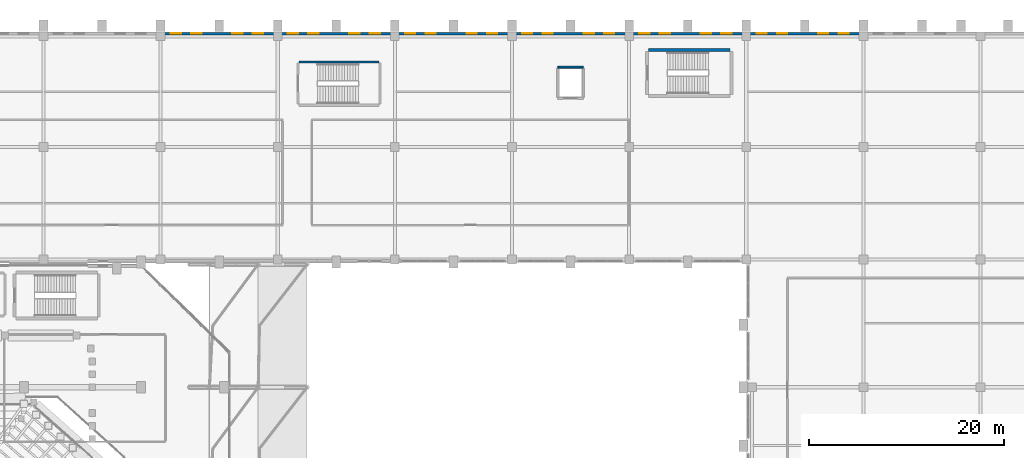
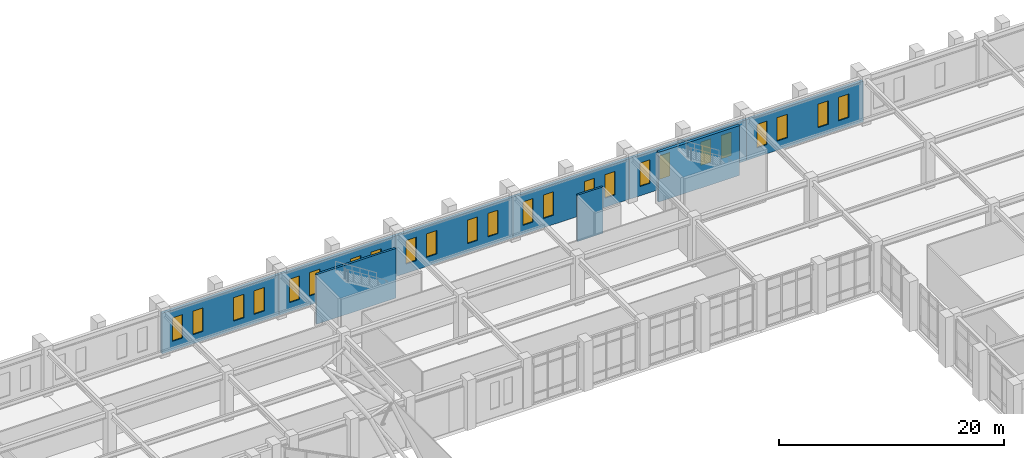
# One storey, part 138 of 159: 24 windows, 9 walls, 24 openings.
"""IFC4 building model written with IfcOpenShell, lengths in metres."""

import ifcopenshell
import ifcopenshell.guid

model = None  # the IFC model being written
_history = None  # IfcOwnerHistory: only IFC2X3 demands one
_inside = {}  # id of a spatial element -> (the spatial element, [elements in it])
_under = {}  # id of a project, library or spatial element -> (it, [spatial elements below it])
_declared = {}  # id of a project -> (the project, [libraries it declares])
_typed = {}  # id of a type object -> (the type object, [elements of that type])
_made_of = {}  # id of a material, layer set ... -> (it, [elements and type objects made of it])


def new_model(schema):
    """Start an empty IFC model of exactly this schema.

    Asked for "IFC4X3", IfcOpenShell would pick the latest addendum, in which some entities
    have other attributes; the version numbers below select the first issue.
    IFC2X3 requires an IfcOwnerHistory on every rooted entity: one is made here for all.
    """
    global model, _history
    if schema == "IFC4X3":
        model = ifcopenshell.file(schema_version=(4, 3, 0, 0))
    else:
        model = ifcopenshell.file(schema=schema)
    _inside.clear()
    _under.clear()
    _declared.clear()
    _typed.clear()
    _made_of.clear()
    _history = None
    if model.schema == "IFC2X3":
        org = make("IfcOrganization", Name="unknown")
        user = make(
            "IfcPersonAndOrganization",
            ThePerson=make("IfcPerson", FamilyName="unknown"),
            TheOrganization=org,
        )
        app = make(
            "IfcApplication",
            ApplicationDeveloper=org,
            Version="unknown",
            ApplicationFullName="unknown",
            ApplicationIdentifier="unknown",
        )
        _history = make(
            "IfcOwnerHistory",
            OwningUser=user,
            OwningApplication=app,
            ChangeAction="ADDED",
            CreationDate=0,
        )
    return model


def make(cls, **values):
    """One entity of the class cls with the attributes given. An attribute that is None is left unset."""
    return model.create_entity(
        cls, **{name: value for name, value in values.items() if value is not None}
    )


def rooted(cls, **values):
    """An entity with a GlobalId (a new one), such as an element, a storey or a relation."""
    return make(cls, GlobalId=ifcopenshell.guid.new(), OwnerHistory=_history, **values)


def si_unit(unit_type, name, prefix=None):
    """IfcSIUnit, for example si_unit("LENGTHUNIT", "METRE", prefix="MILLI")."""
    return make("IfcSIUnit", UnitType=unit_type, Prefix=prefix, Name=name)


def derived_unit(unit_type, elements):
    """IfcDerivedUnit: a product of units, each with its exponent."""
    return make(
        "IfcDerivedUnit",
        Elements=[
            make("IfcDerivedUnitElement", Unit=unit, Exponent=power)
            for unit, power in elements
        ],
        UnitType=unit_type,
    )


def assignment(units):
    """IfcUnitAssignment: the units of a project."""
    return None if units is None else make("IfcUnitAssignment", Units=units)


def point(xyz):
    """IfcCartesianPoint."""
    return None if xyz is None else make("IfcCartesianPoint", Coordinates=xyz)


def direction(xyz):
    """IfcDirection."""
    return None if xyz is None else make("IfcDirection", DirectionRatios=xyz)


def frame(location, z_axis=None, x_axis=None):
    """IfcAxis2Placement3D, a coordinate frame: its origin and axes. An axis left out is left unset."""
    return make(
        "IfcAxis2Placement3D",
        Location=point(location),
        Axis=direction(z_axis),
        RefDirection=direction(x_axis),
    )


def frame_2d(location, x_axis=None):
    """IfcAxis2Placement2D, a coordinate frame in the plane: its origin and x axis."""
    return make(
        "IfcAxis2Placement2D", Location=point(location), RefDirection=direction(x_axis)
    )


def origin():
    """The frame at (0, 0, 0) with its axes left unset."""
    return frame((0.0, 0.0, 0.0))


def place(relative_to, where):
    """IfcLocalPlacement: puts the frame where relative to a parent placement (None: the world)."""
    return make(
        "IfcLocalPlacement", PlacementRelTo=relative_to, RelativePlacement=where
    )


def context(
    kind, dimensions, precision=None, world=None, true_north=None, identifier=None
):
    """IfcGeometricRepresentationContext, for example the 3D "Model" context."""
    return make(
        "IfcGeometricRepresentationContext",
        ContextIdentifier=identifier,
        ContextType=kind,
        CoordinateSpaceDimension=dimensions,
        Precision=precision,
        WorldCoordinateSystem=world,
        TrueNorth=true_north,
    )


def subcontext(parent, identifier, kind, view, scale=None):
    """IfcGeometricRepresentationSubContext, for example "Body" below "Model"."""
    return make(
        "IfcGeometricRepresentationSubContext",
        ContextIdentifier=identifier,
        ContextType=kind,
        ParentContext=parent,
        TargetScale=scale,
        TargetView=view,
    )


def project(units=None, contexts=None):
    """IfcProject with its units and contexts."""
    return rooted(
        "IfcProject",
        Name="project",
        RepresentationContexts=contexts,
        UnitsInContext=assignment(units),
    )


def spatial(cls, under=None, at=None, **own):
    """A site, building, storey or space (cls), placed at a placement, below another one or the project."""
    s = rooted(cls, ObjectPlacement=at, **own)
    if under is not None:
        _under.setdefault(under.id(), (under, []))[1].append(s)
    return s


def profile(cls, at=None, kind="AREA", **sizes):
    """A parametric profile (cls). Its sizes go by their IFC names, for example OverallWidth=200.0."""
    return make(cls, ProfileType=kind, Position=at, **sizes)


def rectangle(**sizes):
    """IfcRectangleProfileDef."""
    return profile("IfcRectangleProfileDef", **sizes)


def extrude(swept, where, along, depth):
    """IfcExtrudedAreaSolid: the profile swept, set in the frame where, extruded along a direction by depth."""
    return make(
        "IfcExtrudedAreaSolid",
        SweptArea=swept,
        Position=where,
        ExtrudedDirection=direction(along),
        Depth=depth,
    )


def shape(context_of_items, identifier, shape_type, items):
    """IfcShapeRepresentation: the items that make up one representation, for example the "Body"."""
    return make(
        "IfcShapeRepresentation",
        ContextOfItems=context_of_items,
        RepresentationIdentifier=identifier,
        RepresentationType=shape_type,
        Items=items,
    )


def material(Name=None, Category=None):
    """IfcMaterial."""
    return make("IfcMaterial", Name=Name, Category=Category)


def layer(
    of_material, thickness, ventilated=None, Name=None, Category=None, Priority=None
):
    """IfcMaterialLayer: one layer of a wall or slab, of a material (None: an air gap)."""
    return make(
        "IfcMaterialLayer",
        Material=of_material,
        LayerThickness=thickness,
        IsVentilated=ventilated,
        Name=Name,
        Category=Category,
        Priority=Priority,
    )


def layer_set(layers, Name=None):
    """IfcMaterialLayerSet."""
    return make("IfcMaterialLayerSet", MaterialLayers=layers, LayerSetName=Name)


def made_of(thing, what):
    """Note that an element or type object is made of a material, layer set ...; save() writes the relation."""
    if what is not None:
        _made_of.setdefault(what.id(), (what, []))[1].append(thing)
    return thing


def type_object(cls, material=None, **own):
    """A type object (cls), such as IfcWallType, which elements share."""
    return made_of(rooted(cls, **own), material)


def element(
    cls,
    number,
    at=None,
    inside=None,
    cuts=None,
    type_object=None,
    material=None,
    context=None,
    identifier="Body",
    shape_type=None,
    held_by="IfcProductDefinitionShape",
    body=None,
    shapes=None,
    **own,
):
    """One element of the class cls, such as IfcWall. Its Tag is "e" and its number.

    at: its placement. inside: the storey or other place that contains it. cuts: it is an
    opening in that element (IfcRelVoidsElement). A single representation is given by context,
    identifier, shape_type and body (its items); several are given by shapes. held_by: the class
    of the entity that holds the representations. save() writes the other relations.
    """
    e = rooted(cls, Tag="e%d" % number, ObjectPlacement=at, **own)
    if body is not None:
        shapes = [shape(context, identifier, shape_type, body)]
    if shapes is not None:
        e.Representation = make(held_by, Representations=shapes)
    if inside is not None:
        _inside.setdefault(inside.id(), (inside, []))[1].append(e)
    if cuts is not None:
        rooted(
            "IfcRelVoidsElement", RelatingBuildingElement=cuts, RelatedOpeningElement=e
        )
    if type_object is not None:
        _typed.setdefault(type_object.id(), (type_object, []))[1].append(e)
    return made_of(e, material)


def fill(opening, filler):
    """IfcRelFillsElement: the door or window that sits in an opening."""
    return rooted(
        "IfcRelFillsElement",
        RelatingOpeningElement=opening,
        RelatedBuildingElement=filler,
    )


def aggregate(whole, parts):
    """IfcRelAggregates: a whole, such as a stair, and the parts it consists of."""
    return rooted("IfcRelAggregates", RelatingObject=whole, RelatedObjects=parts)


def save(model, path):
    """Write the relations noted so far, then the file.

    IfcRelAggregates (storeys below a building ...), IfcRelContainedInSpatialStructure (elements
    in a storey), IfcRelDefinesByType, IfcRelAssociatesMaterial and IfcRelDeclares: one each for
    every whole, place, type object, material and project.
    """
    for whole, parts in _under.values():
        aggregate(whole, parts)
    for where, things in _inside.values():
        rooted(
            "IfcRelContainedInSpatialStructure",
            RelatedElements=things,
            RelatingStructure=where,
        )
    for kind, things in _typed.values():
        rooted("IfcRelDefinesByType", RelatedObjects=things, RelatingType=kind)
    for what, things in _made_of.values():
        rooted("IfcRelAssociatesMaterial", RelatedObjects=things, RelatingMaterial=what)
    for by, libraries in _declared.values():
        rooted("IfcRelDeclares", RelatingContext=by, RelatedDefinitions=libraries)
    model.write(path)


model = new_model("IFC4")

# Units and contexts
model_context = context("Model", 3, precision=1e-05, world=origin(), true_north=direction((0.0, 1.0)))
body_context = subcontext(model_context, "Body", "Model", "MODEL_VIEW")
ifc_project = project(units=[si_unit("LENGTHUNIT", "METRE"), si_unit("AREAUNIT", "SQUARE_METRE"), si_unit("VOLUMEUNIT", "CUBIC_METRE"), si_unit("PLANEANGLEUNIT", "RADIAN"), si_unit("MASSUNIT", "GRAM", prefix="KILO"), derived_unit("THERMALTRANSMITTANCEUNIT", [(si_unit("MASSUNIT", "GRAM", prefix="KILO"), 1), (si_unit("TIMEUNIT", "SECOND"), -3), (si_unit("THERMODYNAMICTEMPERATUREUNIT", "KELVIN"), -1)])], contexts=[model_context])

# Site, building, storey
site_placement = place(None, origin())
site = spatial("IfcSite", under=ifc_project, at=site_placement, CompositionType="ELEMENT")
building_placement = place(site_placement, origin())
building = spatial("IfcBuilding", under=site, at=building_placement, Name="Valcora Ridge Arena", CompositionType="ELEMENT")
storey_placement = place(building_placement, frame((0.0, 0.0, 6.0)))
storey = spatial("IfcBuildingStorey", under=building, at=storey_placement, Name="L01", CompositionType="ELEMENT", Elevation=6.0)

# Wall, openings, windows
ifc_material_1 = material(Name="Bush-hammered Andean travertine on concrete backup C40/50", Category="masonry")
ifc_layer_1 = layer(ifc_material_1, 0.280029296875, Name="Bush-hammered Andean travertine on concrete backup C40/50")
ifc_layer_set_1 = layer_set([ifc_layer_1], Name="Bush-hammered Andean travertine on concrete backup C40/50")
wall_type_1 = type_object("IfcWallType", Name="TY-WALL-EW-TRV-28-44", PredefinedType="STANDARD", material=ifc_layer_set_1)
wall_1_placement = place(storey_placement, frame((96.0, 131.820068359375, 0.0), z_axis=(0.0, 0.0, 1.0), x_axis=(1.0, 0.0, 0.0)))
wall_1 = element("IfcWall", 1, at=wall_1_placement, inside=storey, type_object=wall_type_1, Name="EW-TRV-28-44 WAL-EW-0142", PredefinedType="STANDARD", context=body_context, shape_type="SweptSolid", body=[
    extrude(rectangle(XDim=12.0, YDim=0.280029296875, at=frame_2d((6.0, 0.0))), origin(), (0.0, 0.0, 1.0), 4.427978515625),
])
opening_1_placement = place(wall_1_placement, frame((1.050048828125, 0.0, 1.0)))
opening_1 = element("IfcOpeningElement", 2, at=opening_1_placement, cuts=wall_1, Name="Opening W-LAN-105X255", PredefinedType="OPENING", context=body_context, shape_type="SweptSolid", body=[
    extrude(rectangle(XDim=1.050048828125, YDim=2.550048828125, at=frame_2d((0.52490234375, 1.27490234375))), frame((0.0, 0.14990234375, 0.0), z_axis=(0.0, -1.0, 0.0), x_axis=(1.0, 0.0, 0.0)), (0.0, 0.0, 1.0), 0.300048828125),
])
opening_2_placement = place(wall_1_placement, frame((3.14990234375, 0.0, 1.0)))
opening_2 = element("IfcOpeningElement", 3, at=opening_2_placement, cuts=wall_1, Name="Opening W-LAN-105X255", PredefinedType="OPENING", context=body_context, shape_type="SweptSolid", body=[
    extrude(rectangle(XDim=1.050048828125, YDim=2.550048828125, at=frame_2d((0.52490234375, 1.27490234375))), frame((0.0, 0.14990234375, 0.0), z_axis=(0.0, -1.0, 0.0), x_axis=(1.0, 0.0, 0.0)), (0.0, 0.0, 1.0), 0.300048828125),
])
opening_3_placement = place(wall_1_placement, frame((7.35009765625, 0.0, 1.0)))
opening_3 = element("IfcOpeningElement", 4, at=opening_3_placement, cuts=wall_1, Name="Opening W-LAN-105X255", PredefinedType="OPENING", context=body_context, shape_type="SweptSolid", body=[
    extrude(rectangle(XDim=1.050048828125, YDim=2.550048828125, at=frame_2d((0.52490234375, 1.27490234375))), frame((0.0, 0.14990234375, 0.0), z_axis=(0.0, -1.0, 0.0), x_axis=(1.0, 0.0, 0.0)), (0.0, 0.0, 1.0), 0.300048828125),
])
opening_4_placement = place(wall_1_placement, frame((9.449951171875, 0.0, 1.0)))
opening_4 = element("IfcOpeningElement", 5, at=opening_4_placement, cuts=wall_1, Name="Opening W-LAN-105X255", PredefinedType="OPENING", context=body_context, shape_type="SweptSolid", body=[
    extrude(rectangle(XDim=1.050048828125, YDim=2.550048828125, at=frame_2d((0.52490234375, 1.27490234375))), frame((0.0, 0.14990234375, 0.0), z_axis=(0.0, -1.0, 0.0), x_axis=(1.0, 0.0, 0.0)), (0.0, 0.0, 1.0), 0.300048828125),
])
ifc_material_2 = material(Name="Low-iron solar-control double glazing SHGC 0.28", Category="glass")
window_type = type_object("IfcWindowType", Name="TY-WINDOW-W-LAN-105X255", PartitioningType="DOUBLE_PANEL_VERTICAL", PredefinedType="WINDOW", material=ifc_material_2)
window_1_placement = place(opening_1_placement, origin())
window_1 = element("IfcWindow", 6, at=window_1_placement, inside=storey, type_object=window_type, Name="W-LAN-105X255 WIN-EX-0427", OverallHeight=2.550048828125, OverallWidth=1.050048828125, PartitioningType="DOUBLE_PANEL_VERTICAL", PredefinedType="WINDOW", context=body_context, shape_type="SweptSolid", body=[
    extrude(rectangle(XDim=1.050048828125, YDim=2.550048828125, at=frame_2d((0.52490234375, 1.27490234375))), frame((0.0, 0.030029296875, 0.0), z_axis=(0.0, -1.0, 0.0), x_axis=(1.0, 0.0, 0.0)), (0.0, 0.0, 1.0), 0.06005859375),
])
fill(opening_1, window_1)
window_2_placement = place(opening_2_placement, origin())
window_2 = element("IfcWindow", 7, at=window_2_placement, inside=storey, type_object=window_type, Name="W-LAN-105X255 WIN-EX-0428", OverallHeight=2.550048828125, OverallWidth=1.050048828125, PartitioningType="DOUBLE_PANEL_VERTICAL", PredefinedType="WINDOW", context=body_context, shape_type="SweptSolid", body=[
    extrude(rectangle(XDim=1.050048828125, YDim=2.550048828125, at=frame_2d((0.52490234375, 1.27490234375))), frame((0.0, 0.030029296875, 0.0), z_axis=(0.0, -1.0, 0.0), x_axis=(1.0, 0.0, 0.0)), (0.0, 0.0, 1.0), 0.06005859375),
])
fill(opening_2, window_2)
window_3_placement = place(opening_3_placement, origin())
window_3 = element("IfcWindow", 8, at=window_3_placement, inside=storey, type_object=window_type, Name="W-LAN-105X255 WIN-EX-0429", OverallHeight=2.550048828125, OverallWidth=1.050048828125, PartitioningType="DOUBLE_PANEL_VERTICAL", PredefinedType="WINDOW", context=body_context, shape_type="SweptSolid", body=[
    extrude(rectangle(XDim=1.050048828125, YDim=2.550048828125, at=frame_2d((0.52490234375, 1.27490234375))), frame((0.0, 0.030029296875, 0.0), z_axis=(0.0, -1.0, 0.0), x_axis=(1.0, 0.0, 0.0)), (0.0, 0.0, 1.0), 0.06005859375),
])
fill(opening_3, window_3)
window_4_placement = place(opening_4_placement, origin())
window_4 = element("IfcWindow", 9, at=window_4_placement, inside=storey, type_object=window_type, Name="W-LAN-105X255 WIN-EX-0430", OverallHeight=2.550048828125, OverallWidth=1.050048828125, PartitioningType="DOUBLE_PANEL_VERTICAL", PredefinedType="WINDOW", context=body_context, shape_type="SweptSolid", body=[
    extrude(rectangle(XDim=1.050048828125, YDim=2.550048828125, at=frame_2d((0.52490234375, 1.27490234375))), frame((0.0, 0.030029296875, 0.0), z_axis=(0.0, -1.0, 0.0), x_axis=(1.0, 0.0, 0.0)), (0.0, 0.0, 1.0), 0.06005859375),
])
fill(opening_4, window_4)

wall_2_placement = place(storey_placement, frame((108.0, 131.820068359375, 0.0), z_axis=(0.0, 0.0, 1.0), x_axis=(1.0, 0.0, 0.0)))
wall_2 = element("IfcWall", 10, at=wall_2_placement, inside=storey, type_object=wall_type_1, Name="EW-TRV-28-44 WAL-EW-0143", PredefinedType="STANDARD", context=body_context, shape_type="SweptSolid", body=[
    extrude(rectangle(XDim=12.0, YDim=0.280029296875, at=frame_2d((6.0, 0.0))), origin(), (0.0, 0.0, 1.0), 4.427978515625),
])
opening_5_placement = place(wall_2_placement, frame((1.050048828125, 0.0, 1.0)))
opening_5 = element("IfcOpeningElement", 11, at=opening_5_placement, cuts=wall_2, Name="Opening W-LAN-105X255", PredefinedType="OPENING", context=body_context, shape_type="SweptSolid", body=[
    extrude(rectangle(XDim=1.050048828125, YDim=2.550048828125, at=frame_2d((0.52490234375, 1.27490234375))), frame((0.0, 0.14990234375, 0.0), z_axis=(0.0, -1.0, 0.0), x_axis=(1.0, 0.0, 0.0)), (0.0, 0.0, 1.0), 0.300048828125),
])
opening_6_placement = place(wall_2_placement, frame((3.14990234375, 0.0, 1.0)))
opening_6 = element("IfcOpeningElement", 12, at=opening_6_placement, cuts=wall_2, Name="Opening W-LAN-105X255", PredefinedType="OPENING", context=body_context, shape_type="SweptSolid", body=[
    extrude(rectangle(XDim=1.050048828125, YDim=2.550048828125, at=frame_2d((0.52490234375, 1.27490234375))), frame((0.0, 0.14990234375, 0.0), z_axis=(0.0, -1.0, 0.0), x_axis=(1.0, 0.0, 0.0)), (0.0, 0.0, 1.0), 0.300048828125),
])
opening_7_placement = place(wall_2_placement, frame((7.35009765625, 0.0, 1.0)))
opening_7 = element("IfcOpeningElement", 13, at=opening_7_placement, cuts=wall_2, Name="Opening W-LAN-105X255", PredefinedType="OPENING", context=body_context, shape_type="SweptSolid", body=[
    extrude(rectangle(XDim=1.050048828125, YDim=2.550048828125, at=frame_2d((0.52490234375, 1.27490234375))), frame((0.0, 0.14990234375, 0.0), z_axis=(0.0, -1.0, 0.0), x_axis=(1.0, 0.0, 0.0)), (0.0, 0.0, 1.0), 0.300048828125),
])
opening_8_placement = place(wall_2_placement, frame((9.449951171875, 0.0, 1.0)))
opening_8 = element("IfcOpeningElement", 14, at=opening_8_placement, cuts=wall_2, Name="Opening W-LAN-105X255", PredefinedType="OPENING", context=body_context, shape_type="SweptSolid", body=[
    extrude(rectangle(XDim=1.050048828125, YDim=2.550048828125, at=frame_2d((0.52490234375, 1.27490234375))), frame((0.0, 0.14990234375, 0.0), z_axis=(0.0, -1.0, 0.0), x_axis=(1.0, 0.0, 0.0)), (0.0, 0.0, 1.0), 0.300048828125),
])
window_5_placement = place(opening_5_placement, origin())
window_5 = element("IfcWindow", 15, at=window_5_placement, inside=storey, type_object=window_type, Name="W-LAN-105X255 WIN-EX-0431", OverallHeight=2.550048828125, OverallWidth=1.050048828125, PartitioningType="DOUBLE_PANEL_VERTICAL", PredefinedType="WINDOW", context=body_context, shape_type="SweptSolid", body=[
    extrude(rectangle(XDim=1.050048828125, YDim=2.550048828125, at=frame_2d((0.52490234375, 1.27490234375))), frame((0.0, 0.030029296875, 0.0), z_axis=(0.0, -1.0, 0.0), x_axis=(1.0, 0.0, 0.0)), (0.0, 0.0, 1.0), 0.06005859375),
])
fill(opening_5, window_5)
window_6_placement = place(opening_6_placement, origin())
window_6 = element("IfcWindow", 16, at=window_6_placement, inside=storey, type_object=window_type, Name="W-LAN-105X255 WIN-EX-0432", OverallHeight=2.550048828125, OverallWidth=1.050048828125, PartitioningType="DOUBLE_PANEL_VERTICAL", PredefinedType="WINDOW", context=body_context, shape_type="SweptSolid", body=[
    extrude(rectangle(XDim=1.050048828125, YDim=2.550048828125, at=frame_2d((0.52490234375, 1.27490234375))), frame((0.0, 0.030029296875, 0.0), z_axis=(0.0, -1.0, 0.0), x_axis=(1.0, 0.0, 0.0)), (0.0, 0.0, 1.0), 0.06005859375),
])
fill(opening_6, window_6)
window_7_placement = place(opening_7_placement, origin())
window_7 = element("IfcWindow", 17, at=window_7_placement, inside=storey, type_object=window_type, Name="W-LAN-105X255 WIN-EX-0433", OverallHeight=2.550048828125, OverallWidth=1.050048828125, PartitioningType="DOUBLE_PANEL_VERTICAL", PredefinedType="WINDOW", context=body_context, shape_type="SweptSolid", body=[
    extrude(rectangle(XDim=1.050048828125, YDim=2.550048828125, at=frame_2d((0.52490234375, 1.27490234375))), frame((0.0, 0.030029296875, 0.0), z_axis=(0.0, -1.0, 0.0), x_axis=(1.0, 0.0, 0.0)), (0.0, 0.0, 1.0), 0.06005859375),
])
fill(opening_7, window_7)
window_8_placement = place(opening_8_placement, origin())
window_8 = element("IfcWindow", 18, at=window_8_placement, inside=storey, type_object=window_type, Name="W-LAN-105X255 WIN-EX-0434", OverallHeight=2.550048828125, OverallWidth=1.050048828125, PartitioningType="DOUBLE_PANEL_VERTICAL", PredefinedType="WINDOW", context=body_context, shape_type="SweptSolid", body=[
    extrude(rectangle(XDim=1.050048828125, YDim=2.550048828125, at=frame_2d((0.52490234375, 1.27490234375))), frame((0.0, 0.030029296875, 0.0), z_axis=(0.0, -1.0, 0.0), x_axis=(1.0, 0.0, 0.0)), (0.0, 0.0, 1.0), 0.06005859375),
])
fill(opening_8, window_8)

wall_3_placement = place(storey_placement, frame((120.0, 131.820068359375, 0.0), z_axis=(0.0, 0.0, 1.0), x_axis=(1.0, 0.0, 0.0)))
wall_3 = element("IfcWall", 19, at=wall_3_placement, inside=storey, type_object=wall_type_1, Name="EW-TRV-28-44 WAL-EW-0144", PredefinedType="STANDARD", context=body_context, shape_type="SweptSolid", body=[
    extrude(rectangle(XDim=12.0, YDim=0.280029296875, at=frame_2d((6.0, 0.0))), origin(), (0.0, 0.0, 1.0), 4.427978515625),
])
opening_9_placement = place(wall_3_placement, frame((1.050048828125, 0.0, 1.0)))
opening_9 = element("IfcOpeningElement", 20, at=opening_9_placement, cuts=wall_3, Name="Opening W-LAN-105X255", PredefinedType="OPENING", context=body_context, shape_type="SweptSolid", body=[
    extrude(rectangle(XDim=1.050048828125, YDim=2.550048828125, at=frame_2d((0.52490234375, 1.27490234375))), frame((0.0, 0.14990234375, 0.0), z_axis=(0.0, -1.0, 0.0), x_axis=(1.0, 0.0, 0.0)), (0.0, 0.0, 1.0), 0.300048828125),
])
opening_10_placement = place(wall_3_placement, frame((3.14990234375, 0.0, 1.0)))
opening_10 = element("IfcOpeningElement", 21, at=opening_10_placement, cuts=wall_3, Name="Opening W-LAN-105X255", PredefinedType="OPENING", context=body_context, shape_type="SweptSolid", body=[
    extrude(rectangle(XDim=1.050048828125, YDim=2.550048828125, at=frame_2d((0.52490234375, 1.27490234375))), frame((0.0, 0.14990234375, 0.0), z_axis=(0.0, -1.0, 0.0), x_axis=(1.0, 0.0, 0.0)), (0.0, 0.0, 1.0), 0.300048828125),
])
opening_11_placement = place(wall_3_placement, frame((7.35009765625, 0.0, 1.0)))
opening_11 = element("IfcOpeningElement", 22, at=opening_11_placement, cuts=wall_3, Name="Opening W-LAN-105X255", PredefinedType="OPENING", context=body_context, shape_type="SweptSolid", body=[
    extrude(rectangle(XDim=1.050048828125, YDim=2.550048828125, at=frame_2d((0.52490234375, 1.27490234375))), frame((0.0, 0.14990234375, 0.0), z_axis=(0.0, -1.0, 0.0), x_axis=(1.0, 0.0, 0.0)), (0.0, 0.0, 1.0), 0.300048828125),
])
opening_12_placement = place(wall_3_placement, frame((9.449951171875, 0.0, 1.0)))
opening_12 = element("IfcOpeningElement", 23, at=opening_12_placement, cuts=wall_3, Name="Opening W-LAN-105X255", PredefinedType="OPENING", context=body_context, shape_type="SweptSolid", body=[
    extrude(rectangle(XDim=1.050048828125, YDim=2.550048828125, at=frame_2d((0.52490234375, 1.27490234375))), frame((0.0, 0.14990234375, 0.0), z_axis=(0.0, -1.0, 0.0), x_axis=(1.0, 0.0, 0.0)), (0.0, 0.0, 1.0), 0.300048828125),
])
window_9_placement = place(opening_9_placement, origin())
window_9 = element("IfcWindow", 24, at=window_9_placement, inside=storey, type_object=window_type, Name="W-LAN-105X255 WIN-EX-0435", OverallHeight=2.550048828125, OverallWidth=1.050048828125, PartitioningType="DOUBLE_PANEL_VERTICAL", PredefinedType="WINDOW", context=body_context, shape_type="SweptSolid", body=[
    extrude(rectangle(XDim=1.050048828125, YDim=2.550048828125, at=frame_2d((0.52490234375, 1.27490234375))), frame((0.0, 0.030029296875, 0.0), z_axis=(0.0, -1.0, 0.0), x_axis=(1.0, 0.0, 0.0)), (0.0, 0.0, 1.0), 0.06005859375),
])
fill(opening_9, window_9)
window_10_placement = place(opening_10_placement, origin())
window_10 = element("IfcWindow", 25, at=window_10_placement, inside=storey, type_object=window_type, Name="W-LAN-105X255 WIN-EX-0436", OverallHeight=2.550048828125, OverallWidth=1.050048828125, PartitioningType="DOUBLE_PANEL_VERTICAL", PredefinedType="WINDOW", context=body_context, shape_type="SweptSolid", body=[
    extrude(rectangle(XDim=1.050048828125, YDim=2.550048828125, at=frame_2d((0.52490234375, 1.27490234375))), frame((0.0, 0.030029296875, 0.0), z_axis=(0.0, -1.0, 0.0), x_axis=(1.0, 0.0, 0.0)), (0.0, 0.0, 1.0), 0.06005859375),
])
fill(opening_10, window_10)
window_11_placement = place(opening_11_placement, origin())
window_11 = element("IfcWindow", 26, at=window_11_placement, inside=storey, type_object=window_type, Name="W-LAN-105X255 WIN-EX-0437", OverallHeight=2.550048828125, OverallWidth=1.050048828125, PartitioningType="DOUBLE_PANEL_VERTICAL", PredefinedType="WINDOW", context=body_context, shape_type="SweptSolid", body=[
    extrude(rectangle(XDim=1.050048828125, YDim=2.550048828125, at=frame_2d((0.52490234375, 1.27490234375))), frame((0.0, 0.030029296875, 0.0), z_axis=(0.0, -1.0, 0.0), x_axis=(1.0, 0.0, 0.0)), (0.0, 0.0, 1.0), 0.06005859375),
])
fill(opening_11, window_11)
window_12_placement = place(opening_12_placement, origin())
window_12 = element("IfcWindow", 27, at=window_12_placement, inside=storey, type_object=window_type, Name="W-LAN-105X255 WIN-EX-0438", OverallHeight=2.550048828125, OverallWidth=1.050048828125, PartitioningType="DOUBLE_PANEL_VERTICAL", PredefinedType="WINDOW", context=body_context, shape_type="SweptSolid", body=[
    extrude(rectangle(XDim=1.050048828125, YDim=2.550048828125, at=frame_2d((0.52490234375, 1.27490234375))), frame((0.0, 0.030029296875, 0.0), z_axis=(0.0, -1.0, 0.0), x_axis=(1.0, 0.0, 0.0)), (0.0, 0.0, 1.0), 0.06005859375),
])
fill(opening_12, window_12)

wall_4_placement = place(storey_placement, frame((132.0, 131.820068359375, 0.0), z_axis=(0.0, 0.0, 1.0), x_axis=(1.0, 0.0, 0.0)))
wall_4 = element("IfcWall", 28, at=wall_4_placement, inside=storey, type_object=wall_type_1, Name="EW-TRV-28-44 WAL-EW-0145", PredefinedType="STANDARD", context=body_context, shape_type="SweptSolid", body=[
    extrude(rectangle(XDim=12.0, YDim=0.280029296875, at=frame_2d((6.0, 0.0))), origin(), (0.0, 0.0, 1.0), 4.427978515625),
])
opening_13_placement = place(wall_4_placement, frame((1.050048828125, 0.0, 1.0)))
opening_13 = element("IfcOpeningElement", 29, at=opening_13_placement, cuts=wall_4, Name="Opening W-LAN-105X255", PredefinedType="OPENING", context=body_context, shape_type="SweptSolid", body=[
    extrude(rectangle(XDim=1.050048828125, YDim=2.550048828125, at=frame_2d((0.52490234375, 1.27490234375))), frame((0.0, 0.14990234375, 0.0), z_axis=(0.0, -1.0, 0.0), x_axis=(1.0, 0.0, 0.0)), (0.0, 0.0, 1.0), 0.300048828125),
])
opening_14_placement = place(wall_4_placement, frame((3.14990234375, 0.0, 1.0)))
opening_14 = element("IfcOpeningElement", 30, at=opening_14_placement, cuts=wall_4, Name="Opening W-LAN-105X255", PredefinedType="OPENING", context=body_context, shape_type="SweptSolid", body=[
    extrude(rectangle(XDim=1.050048828125, YDim=2.550048828125, at=frame_2d((0.52490234375, 1.27490234375))), frame((0.0, 0.14990234375, 0.0), z_axis=(0.0, -1.0, 0.0), x_axis=(1.0, 0.0, 0.0)), (0.0, 0.0, 1.0), 0.300048828125),
])
opening_15_placement = place(wall_4_placement, frame((7.35009765625, 0.0, 1.0)))
opening_15 = element("IfcOpeningElement", 31, at=opening_15_placement, cuts=wall_4, Name="Opening W-LAN-105X255", PredefinedType="OPENING", context=body_context, shape_type="SweptSolid", body=[
    extrude(rectangle(XDim=1.050048828125, YDim=2.550048828125, at=frame_2d((0.52490234375, 1.27490234375))), frame((0.0, 0.14990234375, 0.0), z_axis=(0.0, -1.0, 0.0), x_axis=(1.0, 0.0, 0.0)), (0.0, 0.0, 1.0), 0.300048828125),
])
opening_16_placement = place(wall_4_placement, frame((9.449951171875, 0.0, 1.0)))
opening_16 = element("IfcOpeningElement", 32, at=opening_16_placement, cuts=wall_4, Name="Opening W-LAN-105X255", PredefinedType="OPENING", context=body_context, shape_type="SweptSolid", body=[
    extrude(rectangle(XDim=1.050048828125, YDim=2.550048828125, at=frame_2d((0.52490234375, 1.27490234375))), frame((0.0, 0.14990234375, 0.0), z_axis=(0.0, -1.0, 0.0), x_axis=(1.0, 0.0, 0.0)), (0.0, 0.0, 1.0), 0.300048828125),
])
window_13_placement = place(opening_13_placement, origin())
window_13 = element("IfcWindow", 33, at=window_13_placement, inside=storey, type_object=window_type, Name="W-LAN-105X255 WIN-EX-0439", OverallHeight=2.550048828125, OverallWidth=1.050048828125, PartitioningType="DOUBLE_PANEL_VERTICAL", PredefinedType="WINDOW", context=body_context, shape_type="SweptSolid", body=[
    extrude(rectangle(XDim=1.050048828125, YDim=2.550048828125, at=frame_2d((0.52490234375, 1.27490234375))), frame((0.0, 0.030029296875, 0.0), z_axis=(0.0, -1.0, 0.0), x_axis=(1.0, 0.0, 0.0)), (0.0, 0.0, 1.0), 0.06005859375),
])
fill(opening_13, window_13)
window_14_placement = place(opening_14_placement, origin())
window_14 = element("IfcWindow", 34, at=window_14_placement, inside=storey, type_object=window_type, Name="W-LAN-105X255 WIN-EX-0440", OverallHeight=2.550048828125, OverallWidth=1.050048828125, PartitioningType="DOUBLE_PANEL_VERTICAL", PredefinedType="WINDOW", context=body_context, shape_type="SweptSolid", body=[
    extrude(rectangle(XDim=1.050048828125, YDim=2.550048828125, at=frame_2d((0.52490234375, 1.27490234375))), frame((0.0, 0.030029296875, 0.0), z_axis=(0.0, -1.0, 0.0), x_axis=(1.0, 0.0, 0.0)), (0.0, 0.0, 1.0), 0.06005859375),
])
fill(opening_14, window_14)
window_15_placement = place(opening_15_placement, origin())
window_15 = element("IfcWindow", 35, at=window_15_placement, inside=storey, type_object=window_type, Name="W-LAN-105X255 WIN-EX-0441", OverallHeight=2.550048828125, OverallWidth=1.050048828125, PartitioningType="DOUBLE_PANEL_VERTICAL", PredefinedType="WINDOW", context=body_context, shape_type="SweptSolid", body=[
    extrude(rectangle(XDim=1.050048828125, YDim=2.550048828125, at=frame_2d((0.52490234375, 1.27490234375))), frame((0.0, 0.030029296875, 0.0), z_axis=(0.0, -1.0, 0.0), x_axis=(1.0, 0.0, 0.0)), (0.0, 0.0, 1.0), 0.06005859375),
])
fill(opening_15, window_15)
window_16_placement = place(opening_16_placement, origin())
window_16 = element("IfcWindow", 36, at=window_16_placement, inside=storey, type_object=window_type, Name="W-LAN-105X255 WIN-EX-0442", OverallHeight=2.550048828125, OverallWidth=1.050048828125, PartitioningType="DOUBLE_PANEL_VERTICAL", PredefinedType="WINDOW", context=body_context, shape_type="SweptSolid", body=[
    extrude(rectangle(XDim=1.050048828125, YDim=2.550048828125, at=frame_2d((0.52490234375, 1.27490234375))), frame((0.0, 0.030029296875, 0.0), z_axis=(0.0, -1.0, 0.0), x_axis=(1.0, 0.0, 0.0)), (0.0, 0.0, 1.0), 0.06005859375),
])
fill(opening_16, window_16)

wall_5_placement = place(storey_placement, frame((144.0, 131.820068359375, 0.0), z_axis=(0.0, 0.0, 1.0), x_axis=(1.0, 0.0, 0.0)))
wall_5 = element("IfcWall", 37, at=wall_5_placement, inside=storey, type_object=wall_type_1, Name="EW-TRV-28-44 WAL-EW-0146", PredefinedType="STANDARD", context=body_context, shape_type="SweptSolid", body=[
    extrude(rectangle(XDim=12.0, YDim=0.280029296875, at=frame_2d((6.0, 0.0))), origin(), (0.0, 0.0, 1.0), 4.427978515625),
])
opening_17_placement = place(wall_5_placement, frame((1.050048828125, 0.0, 1.0)))
opening_17 = element("IfcOpeningElement", 38, at=opening_17_placement, cuts=wall_5, Name="Opening W-LAN-105X255", PredefinedType="OPENING", context=body_context, shape_type="SweptSolid", body=[
    extrude(rectangle(XDim=1.050048828125, YDim=2.550048828125, at=frame_2d((0.52490234375, 1.27490234375))), frame((0.0, 0.14990234375, 0.0), z_axis=(0.0, -1.0, 0.0), x_axis=(1.0, 0.0, 0.0)), (0.0, 0.0, 1.0), 0.300048828125),
])
opening_18_placement = place(wall_5_placement, frame((3.14990234375, 0.0, 1.0)))
opening_18 = element("IfcOpeningElement", 39, at=opening_18_placement, cuts=wall_5, Name="Opening W-LAN-105X255", PredefinedType="OPENING", context=body_context, shape_type="SweptSolid", body=[
    extrude(rectangle(XDim=1.050048828125, YDim=2.550048828125, at=frame_2d((0.52490234375, 1.27490234375))), frame((0.0, 0.14990234375, 0.0), z_axis=(0.0, -1.0, 0.0), x_axis=(1.0, 0.0, 0.0)), (0.0, 0.0, 1.0), 0.300048828125),
])
opening_19_placement = place(wall_5_placement, frame((7.35009765625, 0.0, 1.0)))
opening_19 = element("IfcOpeningElement", 40, at=opening_19_placement, cuts=wall_5, Name="Opening W-LAN-105X255", PredefinedType="OPENING", context=body_context, shape_type="SweptSolid", body=[
    extrude(rectangle(XDim=1.050048828125, YDim=2.550048828125, at=frame_2d((0.52490234375, 1.27490234375))), frame((0.0, 0.14990234375, 0.0), z_axis=(0.0, -1.0, 0.0), x_axis=(1.0, 0.0, 0.0)), (0.0, 0.0, 1.0), 0.300048828125),
])
opening_20_placement = place(wall_5_placement, frame((9.449951171875, 0.0, 1.0)))
opening_20 = element("IfcOpeningElement", 41, at=opening_20_placement, cuts=wall_5, Name="Opening W-LAN-105X255", PredefinedType="OPENING", context=body_context, shape_type="SweptSolid", body=[
    extrude(rectangle(XDim=1.050048828125, YDim=2.550048828125, at=frame_2d((0.52490234375, 1.27490234375))), frame((0.0, 0.14990234375, 0.0), z_axis=(0.0, -1.0, 0.0), x_axis=(1.0, 0.0, 0.0)), (0.0, 0.0, 1.0), 0.300048828125),
])
window_17_placement = place(opening_17_placement, origin())
window_17 = element("IfcWindow", 42, at=window_17_placement, inside=storey, type_object=window_type, Name="W-LAN-105X255 WIN-EX-0443", OverallHeight=2.550048828125, OverallWidth=1.050048828125, PartitioningType="DOUBLE_PANEL_VERTICAL", PredefinedType="WINDOW", context=body_context, shape_type="SweptSolid", body=[
    extrude(rectangle(XDim=1.050048828125, YDim=2.550048828125, at=frame_2d((0.52490234375, 1.27490234375))), frame((0.0, 0.030029296875, 0.0), z_axis=(0.0, -1.0, 0.0), x_axis=(1.0, 0.0, 0.0)), (0.0, 0.0, 1.0), 0.06005859375),
])
fill(opening_17, window_17)
window_18_placement = place(opening_18_placement, origin())
window_18 = element("IfcWindow", 43, at=window_18_placement, inside=storey, type_object=window_type, Name="W-LAN-105X255 WIN-EX-0444", OverallHeight=2.550048828125, OverallWidth=1.050048828125, PartitioningType="DOUBLE_PANEL_VERTICAL", PredefinedType="WINDOW", context=body_context, shape_type="SweptSolid", body=[
    extrude(rectangle(XDim=1.050048828125, YDim=2.550048828125, at=frame_2d((0.52490234375, 1.27490234375))), frame((0.0, 0.030029296875, 0.0), z_axis=(0.0, -1.0, 0.0), x_axis=(1.0, 0.0, 0.0)), (0.0, 0.0, 1.0), 0.06005859375),
])
fill(opening_18, window_18)
window_19_placement = place(opening_19_placement, origin())
window_19 = element("IfcWindow", 44, at=window_19_placement, inside=storey, type_object=window_type, Name="W-LAN-105X255 WIN-EX-0445", OverallHeight=2.550048828125, OverallWidth=1.050048828125, PartitioningType="DOUBLE_PANEL_VERTICAL", PredefinedType="WINDOW", context=body_context, shape_type="SweptSolid", body=[
    extrude(rectangle(XDim=1.050048828125, YDim=2.550048828125, at=frame_2d((0.52490234375, 1.27490234375))), frame((0.0, 0.030029296875, 0.0), z_axis=(0.0, -1.0, 0.0), x_axis=(1.0, 0.0, 0.0)), (0.0, 0.0, 1.0), 0.06005859375),
])
fill(opening_19, window_19)
window_20_placement = place(opening_20_placement, origin())
window_20 = element("IfcWindow", 45, at=window_20_placement, inside=storey, type_object=window_type, Name="W-LAN-105X255 WIN-EX-0446", OverallHeight=2.550048828125, OverallWidth=1.050048828125, PartitioningType="DOUBLE_PANEL_VERTICAL", PredefinedType="WINDOW", context=body_context, shape_type="SweptSolid", body=[
    extrude(rectangle(XDim=1.050048828125, YDim=2.550048828125, at=frame_2d((0.52490234375, 1.27490234375))), frame((0.0, 0.030029296875, 0.0), z_axis=(0.0, -1.0, 0.0), x_axis=(1.0, 0.0, 0.0)), (0.0, 0.0, 1.0), 0.06005859375),
])
fill(opening_20, window_20)

wall_6_placement = place(storey_placement, frame((156.0, 131.820068359375, 0.0), z_axis=(0.0, 0.0, 1.0), x_axis=(1.0, 0.0, 0.0)))
wall_6 = element("IfcWall", 46, at=wall_6_placement, inside=storey, type_object=wall_type_1, Name="EW-TRV-28-44 WAL-EW-0147", PredefinedType="STANDARD", context=body_context, shape_type="SweptSolid", body=[
    extrude(rectangle(XDim=12.0, YDim=0.280029296875, at=frame_2d((6.0, 0.0))), origin(), (0.0, 0.0, 1.0), 4.427978515625),
])
opening_21_placement = place(wall_6_placement, frame((1.050048828125, 0.0, 1.0)))
opening_21 = element("IfcOpeningElement", 47, at=opening_21_placement, cuts=wall_6, Name="Opening W-LAN-105X255", PredefinedType="OPENING", context=body_context, shape_type="SweptSolid", body=[
    extrude(rectangle(XDim=1.050048828125, YDim=2.550048828125, at=frame_2d((0.52490234375, 1.27490234375))), frame((0.0, 0.14990234375, 0.0), z_axis=(0.0, -1.0, 0.0), x_axis=(1.0, 0.0, 0.0)), (0.0, 0.0, 1.0), 0.300048828125),
])
opening_22_placement = place(wall_6_placement, frame((3.14990234375, 0.0, 1.0)))
opening_22 = element("IfcOpeningElement", 48, at=opening_22_placement, cuts=wall_6, Name="Opening W-LAN-105X255", PredefinedType="OPENING", context=body_context, shape_type="SweptSolid", body=[
    extrude(rectangle(XDim=1.050048828125, YDim=2.550048828125, at=frame_2d((0.52490234375, 1.27490234375))), frame((0.0, 0.14990234375, 0.0), z_axis=(0.0, -1.0, 0.0), x_axis=(1.0, 0.0, 0.0)), (0.0, 0.0, 1.0), 0.300048828125),
])
opening_23_placement = place(wall_6_placement, frame((7.35009765625, 0.0, 1.0)))
opening_23 = element("IfcOpeningElement", 49, at=opening_23_placement, cuts=wall_6, Name="Opening W-LAN-105X255", PredefinedType="OPENING", context=body_context, shape_type="SweptSolid", body=[
    extrude(rectangle(XDim=1.050048828125, YDim=2.550048828125, at=frame_2d((0.52490234375, 1.27490234375))), frame((0.0, 0.14990234375, 0.0), z_axis=(0.0, -1.0, 0.0), x_axis=(1.0, 0.0, 0.0)), (0.0, 0.0, 1.0), 0.300048828125),
])
opening_24_placement = place(wall_6_placement, frame((9.449951171875, 0.0, 1.0)))
opening_24 = element("IfcOpeningElement", 50, at=opening_24_placement, cuts=wall_6, Name="Opening W-LAN-105X255", PredefinedType="OPENING", context=body_context, shape_type="SweptSolid", body=[
    extrude(rectangle(XDim=1.050048828125, YDim=2.550048828125, at=frame_2d((0.52490234375, 1.27490234375))), frame((0.0, 0.14990234375, 0.0), z_axis=(0.0, -1.0, 0.0), x_axis=(1.0, 0.0, 0.0)), (0.0, 0.0, 1.0), 0.300048828125),
])
window_21_placement = place(opening_21_placement, origin())
window_21 = element("IfcWindow", 51, at=window_21_placement, inside=storey, type_object=window_type, Name="W-LAN-105X255 WIN-EX-0447", OverallHeight=2.550048828125, OverallWidth=1.050048828125, PartitioningType="DOUBLE_PANEL_VERTICAL", PredefinedType="WINDOW", context=body_context, shape_type="SweptSolid", body=[
    extrude(rectangle(XDim=1.050048828125, YDim=2.550048828125, at=frame_2d((0.52490234375, 1.27490234375))), frame((0.0, 0.030029296875, 0.0), z_axis=(0.0, -1.0, 0.0), x_axis=(1.0, 0.0, 0.0)), (0.0, 0.0, 1.0), 0.06005859375),
])
fill(opening_21, window_21)
window_22_placement = place(opening_22_placement, origin())
window_22 = element("IfcWindow", 52, at=window_22_placement, inside=storey, type_object=window_type, Name="W-LAN-105X255 WIN-EX-0448", OverallHeight=2.550048828125, OverallWidth=1.050048828125, PartitioningType="DOUBLE_PANEL_VERTICAL", PredefinedType="WINDOW", context=body_context, shape_type="SweptSolid", body=[
    extrude(rectangle(XDim=1.050048828125, YDim=2.550048828125, at=frame_2d((0.52490234375, 1.27490234375))), frame((0.0, 0.030029296875, 0.0), z_axis=(0.0, -1.0, 0.0), x_axis=(1.0, 0.0, 0.0)), (0.0, 0.0, 1.0), 0.06005859375),
])
fill(opening_22, window_22)
window_23_placement = place(opening_23_placement, origin())
window_23 = element("IfcWindow", 53, at=window_23_placement, inside=storey, type_object=window_type, Name="W-LAN-105X255 WIN-EX-0449", OverallHeight=2.550048828125, OverallWidth=1.050048828125, PartitioningType="DOUBLE_PANEL_VERTICAL", PredefinedType="WINDOW", context=body_context, shape_type="SweptSolid", body=[
    extrude(rectangle(XDim=1.050048828125, YDim=2.550048828125, at=frame_2d((0.52490234375, 1.27490234375))), frame((0.0, 0.030029296875, 0.0), z_axis=(0.0, -1.0, 0.0), x_axis=(1.0, 0.0, 0.0)), (0.0, 0.0, 1.0), 0.06005859375),
])
fill(opening_23, window_23)
window_24_placement = place(opening_24_placement, origin())
window_24 = element("IfcWindow", 54, at=window_24_placement, inside=storey, type_object=window_type, Name="W-LAN-105X255 WIN-EX-0450", OverallHeight=2.550048828125, OverallWidth=1.050048828125, PartitioningType="DOUBLE_PANEL_VERTICAL", PredefinedType="WINDOW", context=body_context, shape_type="SweptSolid", body=[
    extrude(rectangle(XDim=1.050048828125, YDim=2.550048828125, at=frame_2d((0.52490234375, 1.27490234375))), frame((0.0, 0.030029296875, 0.0), z_axis=(0.0, -1.0, 0.0), x_axis=(1.0, 0.0, 0.0)), (0.0, 0.0, 1.0), 0.06005859375),
])
fill(opening_24, window_24)

# Walls
ifc_material_3 = material(Name="Concrete C40/50", Category="concrete")
ifc_layer_2 = layer(ifc_material_3, 0.199951171875, Name="Concrete C40/50")
ifc_layer_set_2 = layer_set([ifc_layer_2], Name="Concrete C40/50")
wall_type_2 = type_object("IfcWallType", Name="TY-WALL-IW-SHF-200", PredefinedType="STANDARD", material=ifc_layer_set_2)
wall_7_placement = place(storey_placement, frame((136.699951171875, 128.39990234375, 0.0), z_axis=(0.0, 0.0, 1.0), x_axis=(1.0, 0.0, 0.0)))
element("IfcWall", 55, at=wall_7_placement, inside=storey, type_object=wall_type_2, Name="IW-SHF-200 WAL-SH-0274", PredefinedType="STANDARD", context=body_context, shape_type="SweptSolid", body=[
    extrude(rectangle(XDim=2.60009765625, YDim=0.199951171875, at=frame_2d((1.300048828125, 0.0))), origin(), (0.0, 0.0, 1.0), 5.0400390625),
])
ifc_material_4 = material(Name="Concrete C45/55", Category="concrete")
ifc_layer_3 = layer(ifc_material_4, 0.300048828125, Name="Concrete C45/55")
ifc_layer_set_3 = layer_set([ifc_layer_3], Name="Concrete C45/55")
wall_type_3 = type_object("IfcWallType", Name="TY-WALL-SW-C300-L", PredefinedType="SHEAR", material=ifc_layer_set_3)
wall_8_placement = place(storey_placement, frame((146.0, 130.14990234375, 0.0), z_axis=(0.0, 0.0, 1.0), x_axis=(1.0, 0.0, 0.0)))
element("IfcWall", 56, at=wall_8_placement, inside=storey, type_object=wall_type_3, Name="SW-C300-L WAL-CR-0206", PredefinedType="SHEAR", context=body_context, shape_type="SweptSolid", body=[
    extrude(rectangle(XDim=8.320068359375, YDim=0.300048828125, at=frame_2d((4.16015625, 0.0))), origin(), (0.0, 0.0, 1.0), 5.39990234375),
])
ifc_material_5 = material(Name="Fire-resisting reinforced concrete enclosure C40/50 200 mm", Category="concrete")
ifc_layer_4 = layer(ifc_material_5, 0.219970703125, Name="Fire-resisting reinforced concrete enclosure C40/50 200 mm")
ifc_layer_set_4 = layer_set([ifc_layer_4], Name="Fire-resisting reinforced concrete enclosure C40/50 200 mm")
wall_type_4 = type_object("IfcWallType", Name="TY-WALL-SW-ES-220", PredefinedType="SHEAR", material=ifc_layer_set_4)
wall_9_placement = place(storey_placement, frame((110.199951171875, 128.909912109375, 0.0), z_axis=(0.0, 0.0, 1.0), x_axis=(1.0, 0.0, 0.0)))
element("IfcWall", 57, at=wall_9_placement, inside=storey, type_object=wall_type_4, Name="SW-ES-220 WAL-ES-0194", PredefinedType="SHEAR", context=body_context, shape_type="SweptSolid", body=[
    extrude(rectangle(XDim=8.16015625, YDim=0.219970703125, at=frame_2d((4.080078125, 0.0))), origin(), (0.0, 0.0, 1.0), 5.39990234375),
])

save(model, "model.ifc")
